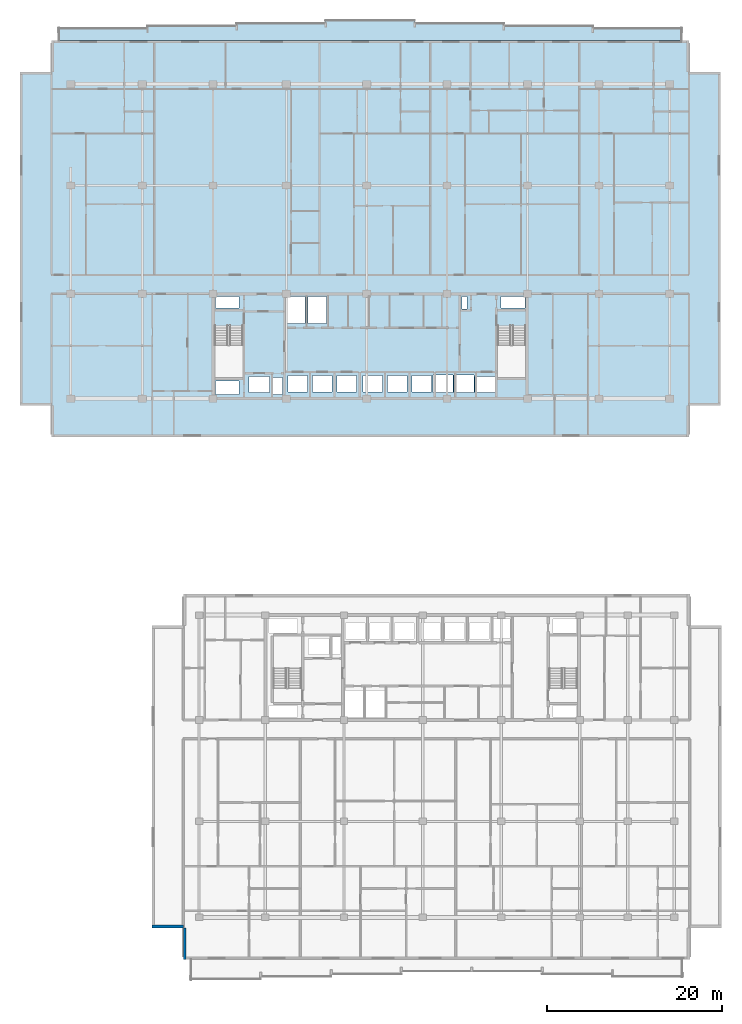
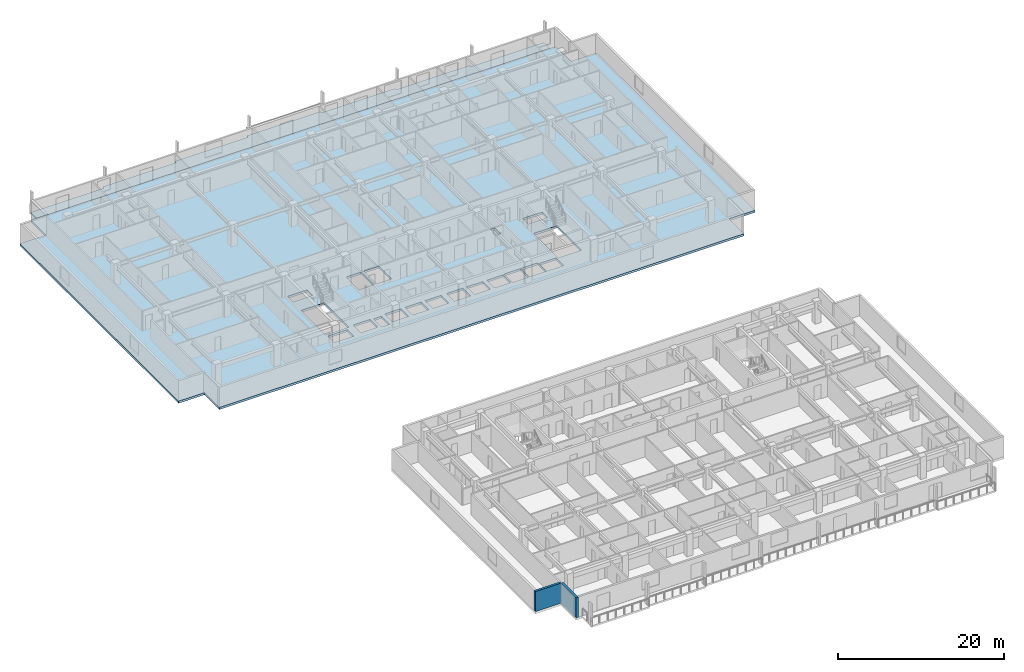
# One storey, part 3 of 22: 2 slabs, 2 walls.
"""IFC4 building model written with IfcOpenShell, lengths in metres."""

import ifcopenshell
import ifcopenshell.guid

model = None  # the IFC model being written
_history = None  # IfcOwnerHistory: only IFC2X3 demands one
_inside = {}  # id of a spatial element -> (the spatial element, [elements in it])
_under = {}  # id of a project, library or spatial element -> (it, [spatial elements below it])
_declared = {}  # id of a project -> (the project, [libraries it declares])
_typed = {}  # id of a type object -> (the type object, [elements of that type])
_made_of = {}  # id of a material, layer set ... -> (it, [elements and type objects made of it])


def new_model(schema):
    """Start an empty IFC model of exactly this schema.

    Asked for "IFC4X3", IfcOpenShell would pick the latest addendum, in which some entities
    have other attributes; the version numbers below select the first issue.
    IFC2X3 requires an IfcOwnerHistory on every rooted entity: one is made here for all.
    """
    global model, _history
    if schema == "IFC4X3":
        model = ifcopenshell.file(schema_version=(4, 3, 0, 0))
    else:
        model = ifcopenshell.file(schema=schema)
    _inside.clear()
    _under.clear()
    _declared.clear()
    _typed.clear()
    _made_of.clear()
    _history = None
    if model.schema == "IFC2X3":
        org = make("IfcOrganization", Name="unknown")
        user = make(
            "IfcPersonAndOrganization",
            ThePerson=make("IfcPerson", FamilyName="unknown"),
            TheOrganization=org,
        )
        app = make(
            "IfcApplication",
            ApplicationDeveloper=org,
            Version="unknown",
            ApplicationFullName="unknown",
            ApplicationIdentifier="unknown",
        )
        _history = make(
            "IfcOwnerHistory",
            OwningUser=user,
            OwningApplication=app,
            ChangeAction="ADDED",
            CreationDate=0,
        )
    return model


def make(cls, **values):
    """One entity of the class cls with the attributes given. An attribute that is None is left unset."""
    return model.create_entity(
        cls, **{name: value for name, value in values.items() if value is not None}
    )


def rooted(cls, **values):
    """An entity with a GlobalId (a new one), such as an element, a storey or a relation."""
    return make(cls, GlobalId=ifcopenshell.guid.new(), OwnerHistory=_history, **values)


def si_unit(unit_type, name, prefix=None):
    """IfcSIUnit, for example si_unit("LENGTHUNIT", "METRE", prefix="MILLI")."""
    return make("IfcSIUnit", UnitType=unit_type, Prefix=prefix, Name=name)


def assignment(units):
    """IfcUnitAssignment: the units of a project."""
    return None if units is None else make("IfcUnitAssignment", Units=units)


def point(xyz):
    """IfcCartesianPoint."""
    return None if xyz is None else make("IfcCartesianPoint", Coordinates=xyz)


def direction(xyz):
    """IfcDirection."""
    return None if xyz is None else make("IfcDirection", DirectionRatios=xyz)


def frame(location, z_axis=None, x_axis=None):
    """IfcAxis2Placement3D, a coordinate frame: its origin and axes. An axis left out is left unset."""
    return make(
        "IfcAxis2Placement3D",
        Location=point(location),
        Axis=direction(z_axis),
        RefDirection=direction(x_axis),
    )


def frame_2d(location, x_axis=None):
    """IfcAxis2Placement2D, a coordinate frame in the plane: its origin and x axis."""
    return make(
        "IfcAxis2Placement2D", Location=point(location), RefDirection=direction(x_axis)
    )


def origin():
    """The frame at (0, 0, 0) with its axes left unset."""
    return frame((0.0, 0.0, 0.0))


def place(relative_to, where):
    """IfcLocalPlacement: puts the frame where relative to a parent placement (None: the world)."""
    return make(
        "IfcLocalPlacement", PlacementRelTo=relative_to, RelativePlacement=where
    )


def context(
    kind, dimensions, precision=None, world=None, true_north=None, identifier=None
):
    """IfcGeometricRepresentationContext, for example the 3D "Model" context."""
    return make(
        "IfcGeometricRepresentationContext",
        ContextIdentifier=identifier,
        ContextType=kind,
        CoordinateSpaceDimension=dimensions,
        Precision=precision,
        WorldCoordinateSystem=world,
        TrueNorth=true_north,
    )


def subcontext(parent, identifier, kind, view, scale=None):
    """IfcGeometricRepresentationSubContext, for example "Body" below "Model"."""
    return make(
        "IfcGeometricRepresentationSubContext",
        ContextIdentifier=identifier,
        ContextType=kind,
        ParentContext=parent,
        TargetScale=scale,
        TargetView=view,
    )


def project(units=None, contexts=None):
    """IfcProject with its units and contexts."""
    return rooted(
        "IfcProject",
        Name="project",
        RepresentationContexts=contexts,
        UnitsInContext=assignment(units),
    )


def spatial(cls, under=None, at=None, **own):
    """A site, building, storey or space (cls), placed at a placement, below another one or the project."""
    s = rooted(cls, ObjectPlacement=at, **own)
    if under is not None:
        _under.setdefault(under.id(), (under, []))[1].append(s)
    return s


def polyline(points):
    """IfcPolyline through the points."""
    return make("IfcPolyline", Points=[point(p) for p in points])


def profile(cls, at=None, kind="AREA", **sizes):
    """A parametric profile (cls). Its sizes go by their IFC names, for example OverallWidth=200.0."""
    return make(cls, ProfileType=kind, Position=at, **sizes)


def rectangle(**sizes):
    """IfcRectangleProfileDef."""
    return profile("IfcRectangleProfileDef", **sizes)


def outline(outer, holes=None, kind="AREA"):
    """IfcArbitraryClosedProfileDef: a profile drawn as a closed curve; with holes, ...WithVoids."""
    if holes is None:
        return make("IfcArbitraryClosedProfileDef", ProfileType=kind, OuterCurve=outer)
    return make(
        "IfcArbitraryProfileDefWithVoids",
        ProfileType=kind,
        OuterCurve=outer,
        InnerCurves=holes,
    )


def extrude(swept, where, along, depth):
    """IfcExtrudedAreaSolid: the profile swept, set in the frame where, extruded along a direction by depth."""
    return make(
        "IfcExtrudedAreaSolid",
        SweptArea=swept,
        Position=where,
        ExtrudedDirection=direction(along),
        Depth=depth,
    )


def shape(context_of_items, identifier, shape_type, items):
    """IfcShapeRepresentation: the items that make up one representation, for example the "Body"."""
    return make(
        "IfcShapeRepresentation",
        ContextOfItems=context_of_items,
        RepresentationIdentifier=identifier,
        RepresentationType=shape_type,
        Items=items,
    )


def material(Name=None, Category=None):
    """IfcMaterial."""
    return make("IfcMaterial", Name=Name, Category=Category)


def layer(
    of_material, thickness, ventilated=None, Name=None, Category=None, Priority=None
):
    """IfcMaterialLayer: one layer of a wall or slab, of a material (None: an air gap)."""
    return make(
        "IfcMaterialLayer",
        Material=of_material,
        LayerThickness=thickness,
        IsVentilated=ventilated,
        Name=Name,
        Category=Category,
        Priority=Priority,
    )


def layer_set(layers, Name=None):
    """IfcMaterialLayerSet."""
    return make("IfcMaterialLayerSet", MaterialLayers=layers, LayerSetName=Name)


def made_of(thing, what):
    """Note that an element or type object is made of a material, layer set ...; save() writes the relation."""
    if what is not None:
        _made_of.setdefault(what.id(), (what, []))[1].append(thing)
    return thing


def type_object(cls, material=None, **own):
    """A type object (cls), such as IfcWallType, which elements share."""
    return made_of(rooted(cls, **own), material)


def element(
    cls,
    number,
    at=None,
    inside=None,
    cuts=None,
    type_object=None,
    material=None,
    context=None,
    identifier="Body",
    shape_type=None,
    held_by="IfcProductDefinitionShape",
    body=None,
    shapes=None,
    **own,
):
    """One element of the class cls, such as IfcWall. Its Tag is "e" and its number.

    at: its placement. inside: the storey or other place that contains it. cuts: it is an
    opening in that element (IfcRelVoidsElement). A single representation is given by context,
    identifier, shape_type and body (its items); several are given by shapes. held_by: the class
    of the entity that holds the representations. save() writes the other relations.
    """
    e = rooted(cls, Tag="e%d" % number, ObjectPlacement=at, **own)
    if body is not None:
        shapes = [shape(context, identifier, shape_type, body)]
    if shapes is not None:
        e.Representation = make(held_by, Representations=shapes)
    if inside is not None:
        _inside.setdefault(inside.id(), (inside, []))[1].append(e)
    if cuts is not None:
        rooted(
            "IfcRelVoidsElement", RelatingBuildingElement=cuts, RelatedOpeningElement=e
        )
    if type_object is not None:
        _typed.setdefault(type_object.id(), (type_object, []))[1].append(e)
    return made_of(e, material)


def aggregate(whole, parts):
    """IfcRelAggregates: a whole, such as a stair, and the parts it consists of."""
    return rooted("IfcRelAggregates", RelatingObject=whole, RelatedObjects=parts)


def save(model, path):
    """Write the relations noted so far, then the file.

    IfcRelAggregates (storeys below a building ...), IfcRelContainedInSpatialStructure (elements
    in a storey), IfcRelDefinesByType, IfcRelAssociatesMaterial and IfcRelDeclares: one each for
    every whole, place, type object, material and project.
    """
    for whole, parts in _under.values():
        aggregate(whole, parts)
    for where, things in _inside.values():
        rooted(
            "IfcRelContainedInSpatialStructure",
            RelatedElements=things,
            RelatingStructure=where,
        )
    for kind, things in _typed.values():
        rooted("IfcRelDefinesByType", RelatedObjects=things, RelatingType=kind)
    for what, things in _made_of.values():
        rooted("IfcRelAssociatesMaterial", RelatedObjects=things, RelatingMaterial=what)
    for by, libraries in _declared.values():
        rooted("IfcRelDeclares", RelatingContext=by, RelatedDefinitions=libraries)
    model.write(path)


model = new_model("IFC4")

# Units and contexts
model_context = context("Model", 3, precision=1e-05, world=origin(), true_north=direction((0.0, 1.0)))
body_context = subcontext(model_context, "Body", "Model", "MODEL_VIEW")
ifc_project = project(units=[si_unit("LENGTHUNIT", "METRE"), si_unit("AREAUNIT", "SQUARE_METRE"), si_unit("VOLUMEUNIT", "CUBIC_METRE"), si_unit("PLANEANGLEUNIT", "RADIAN"), si_unit("MASSUNIT", "GRAM", prefix="KILO")], contexts=[model_context])

# Site, building, storey
site_placement = place(None, origin())
site = spatial("IfcSite", under=ifc_project, at=site_placement, CompositionType="ELEMENT")
building_placement = place(site_placement, origin())
building = spatial("IfcBuilding", under=site, at=building_placement, Name="Korimba Cascade Residences", CompositionType="ELEMENT")
storey_placement = place(building_placement, frame((0.0, 0.0, 80.800048828125)))
storey = spatial("IfcBuildingStorey", under=building, at=storey_placement, Name="L22", CompositionType="ELEMENT", Elevation=80.800048828125)

# Slabs
ifc_material_1 = material(Name="Precast concrete C40/50", Category="concrete")
ifc_layer_1 = layer(ifc_material_1, 0.239990234375)
ifc_layer_set_1 = layer_set([ifc_layer_1], Name="Precast concrete C40/50")
slab_type_1 = type_object("IfcSlabType", Name="SLB-LOG-240", PredefinedType="FLOOR", material=ifc_layer_set_1)
slab_1_placement = place(storey_placement, frame((0.0, 0.0, -0.239990234375)))
element("IfcSlab", 1, at=slab_1_placement, inside=storey, type_object=slab_type_1, Name="L22 Tower 1 North Loggia Slab", PredefinedType="FLOOR", context=body_context, shape_type="SweptSolid", body=[
    extrude(outline(polyline([(58.39990234375, 96.199951171875), (129.800048828125, 96.199951171875), (129.800048828125, 97.64990234375), (119.60009765625, 97.64990234375), (119.60009765625, 97.949951171875), (109.39990234375, 97.949951171875), (109.39990234375, 98.25), (99.199951171875, 98.25), (99.199951171875, 98.550048828125), (89.0, 98.550048828125), (89.0, 98.25), (78.800048828125, 98.25), (78.800048828125, 97.949951171875), (68.60009765625, 97.949951171875), (68.60009765625, 97.64990234375), (58.39990234375, 97.64990234375), (58.39990234375, 96.199951171875)])), origin(), (0.0, 0.0, 1.0), 0.239990234375),
])
ifc_material_2 = material(Name="Concrete C65/80", Category="concrete")
ifc_layer_2 = layer(ifc_material_2, 0.320068359375)
ifc_layer_set_2 = layer_set([ifc_layer_2], Name="Concrete C65/80")
slab_type_2 = type_object("IfcSlabType", Name="SLB-TRF-320", PredefinedType="FLOOR", material=ifc_layer_set_2)
slab_2_placement = place(storey_placement, frame((0.0, 0.0, -0.320068359375)))
element("IfcSlab", 2, at=slab_2_placement, inside=storey, type_object=slab_type_2, Name="L22 Tower 1 Floor Slab", PredefinedType="FLOOR", context=body_context, shape_type="SweptSolid", body=[
    extrude(outline(polyline([(57.60009765625, 50.800048828125), (130.60009765625, 50.800048828125), (130.60009765625, 54.39990234375), (134.199951171875, 54.39990234375), (134.199951171875, 92.60009765625), (130.60009765625, 92.60009765625), (130.60009765625, 96.199951171875), (57.60009765625, 96.199951171875), (57.60009765625, 92.60009765625), (54.0, 92.60009765625), (54.0, 54.39990234375), (57.60009765625, 54.39990234375), (57.60009765625, 50.800048828125)]), holes=[polyline([(76.300048828125, 63.514892578125), (76.300048828125, 57.60009765625), (79.5400390625, 57.60009765625), (79.5400390625, 63.514892578125), (76.300048828125, 63.514892578125)]), polyline([(108.659912109375, 63.514892578125), (108.659912109375, 57.60009765625), (111.89990234375, 57.60009765625), (111.89990234375, 63.514892578125), (108.659912109375, 63.514892578125)]), polyline([(80.22998046875, 55.8798828125), (82.570068359375, 55.8798828125), (82.570068359375, 57.719970703125), (80.22998046875, 57.719970703125), (80.22998046875, 55.8798828125)]), polyline([(106.080078125, 55.8798828125), (108.419921875, 55.8798828125), (108.419921875, 57.719970703125), (106.080078125, 57.719970703125), (106.080078125, 55.8798828125)]), polyline([(84.679931640625, 55.97998046875), (86.919921875, 55.97998046875), (86.919921875, 57.820068359375), (84.679931640625, 57.820068359375), (84.679931640625, 55.97998046875)]), polyline([(87.47998046875, 55.97998046875), (89.719970703125, 55.97998046875), (89.719970703125, 57.820068359375), (87.47998046875, 57.820068359375), (87.47998046875, 55.97998046875)]), polyline([(90.280029296875, 55.97998046875), (92.52001953125, 55.97998046875), (92.52001953125, 57.820068359375), (90.280029296875, 57.820068359375), (90.280029296875, 55.97998046875)]), polyline([(93.280029296875, 55.97998046875), (95.52001953125, 55.97998046875), (95.52001953125, 57.820068359375), (93.280029296875, 57.820068359375), (93.280029296875, 55.97998046875)]), polyline([(96.080078125, 55.97998046875), (98.320068359375, 55.97998046875), (98.320068359375, 57.820068359375), (96.080078125, 57.820068359375), (96.080078125, 55.97998046875)]), polyline([(98.8798828125, 55.97998046875), (101.1201171875, 55.97998046875), (101.1201171875, 57.820068359375), (98.8798828125, 57.820068359375), (98.8798828125, 55.97998046875)]), polyline([(101.304931640625, 55.8798828125), (103.594970703125, 55.8798828125), (103.594970703125, 57.919921875), (101.304931640625, 57.919921875), (101.304931640625, 55.8798828125)]), polyline([(103.705078125, 55.8798828125), (105.9951171875, 55.8798828125), (105.9951171875, 57.919921875), (103.705078125, 57.919921875), (103.705078125, 55.8798828125)]), polyline([(82.97998046875, 55.679931640625), (84.080078125, 55.679931640625), (84.080078125, 57.6201171875), (82.97998046875, 57.6201171875), (82.97998046875, 55.679931640625)]), polyline([(76.39990234375, 65.56005859375), (79.10009765625, 65.56005859375), (79.10009765625, 66.8798828125), (76.39990234375, 66.8798828125), (76.39990234375, 65.56005859375)]), polyline([(76.39990234375, 55.679931640625), (79.10009765625, 55.679931640625), (79.10009765625, 57.239990234375), (76.39990234375, 57.239990234375), (76.39990234375, 55.679931640625)]), polyline([(84.530029296875, 63.820068359375), (86.6201171875, 63.820068359375), (86.6201171875, 66.8798828125), (84.530029296875, 66.8798828125), (84.530029296875, 63.820068359375)]), polyline([(86.97998046875, 63.820068359375), (89.070068359375, 63.820068359375), (89.070068359375, 66.8798828125), (86.97998046875, 66.8798828125), (86.97998046875, 63.820068359375)]), polyline([(104.6201171875, 65.4599609375), (105.179931640625, 65.4599609375), (105.179931640625, 66.8798828125), (104.6201171875, 66.8798828125), (104.6201171875, 65.4599609375)]), polyline([(109.080078125, 65.56005859375), (111.800048828125, 65.56005859375), (111.800048828125, 66.8798828125), (109.080078125, 66.8798828125), (109.080078125, 65.56005859375)])]), origin(), (0.0, 0.0, 1.0), 0.320068359375),
])

# Walls
ifc_layer_3 = layer(ifc_material_1, 0.300048828125)
ifc_layer_set_3 = layer_set([ifc_layer_3], Name="Precast concrete C40/50")
wall_type = type_object("IfcWallType", Name="EW-STONE-300", PredefinedType="STANDARD", material=ifc_layer_set_3)
wall_1_placement = place(storey_placement, frame((69.10009765625, -5.25, 0.0), z_axis=(0.0, 0.0, 1.0), x_axis=(1.0, 0.0, 0.0)))
element("IfcWall", 3, at=wall_1_placement, inside=storey, type_object=wall_type, Name="L22 T2 Perimeter Stone Wall E10", PredefinedType="STANDARD", context=body_context, shape_type="SweptSolid", body=[
    extrude(rectangle(XDim=3.599853515625, YDim=0.300048828125, at=frame_2d((1.7998046875, 0.0))), origin(), (0.0, 0.0, 1.0), 2.969970703125),
])
wall_2_placement = place(storey_placement, frame((72.85009765625, -5.39990234375, 0.0), z_axis=(0.0, 0.0, 1.0), x_axis=(0.0, -1.0, 0.0)))
element("IfcWall", 4, at=wall_2_placement, inside=storey, type_object=wall_type, Name="L22 T2 Perimeter Stone Wall E11", PredefinedType="STANDARD", context=body_context, shape_type="SweptSolid", body=[
    extrude(rectangle(XDim=3.60009765625, YDim=0.300048828125, at=frame_2d((1.800048828125, 0.0))), origin(), (0.0, 0.0, 1.0), 2.969970703125),
])

save(model, "model.ifc")
